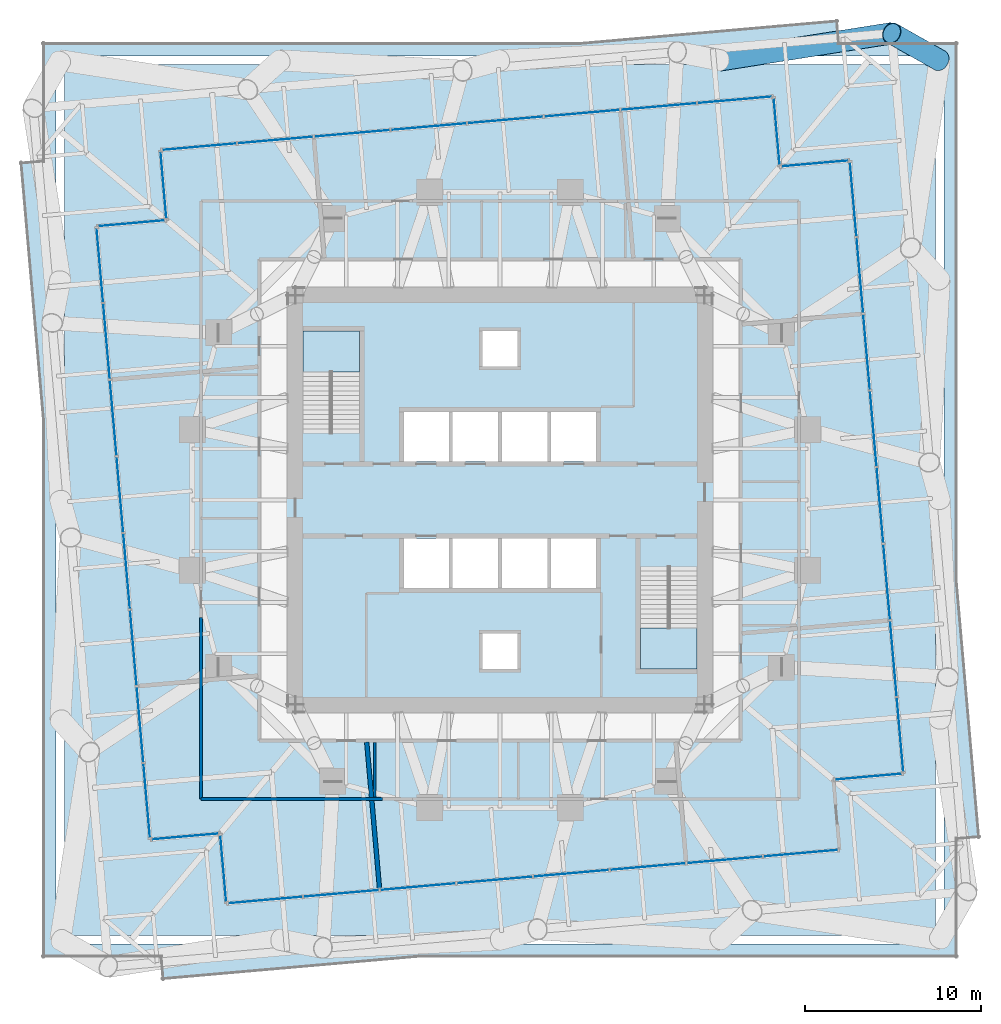
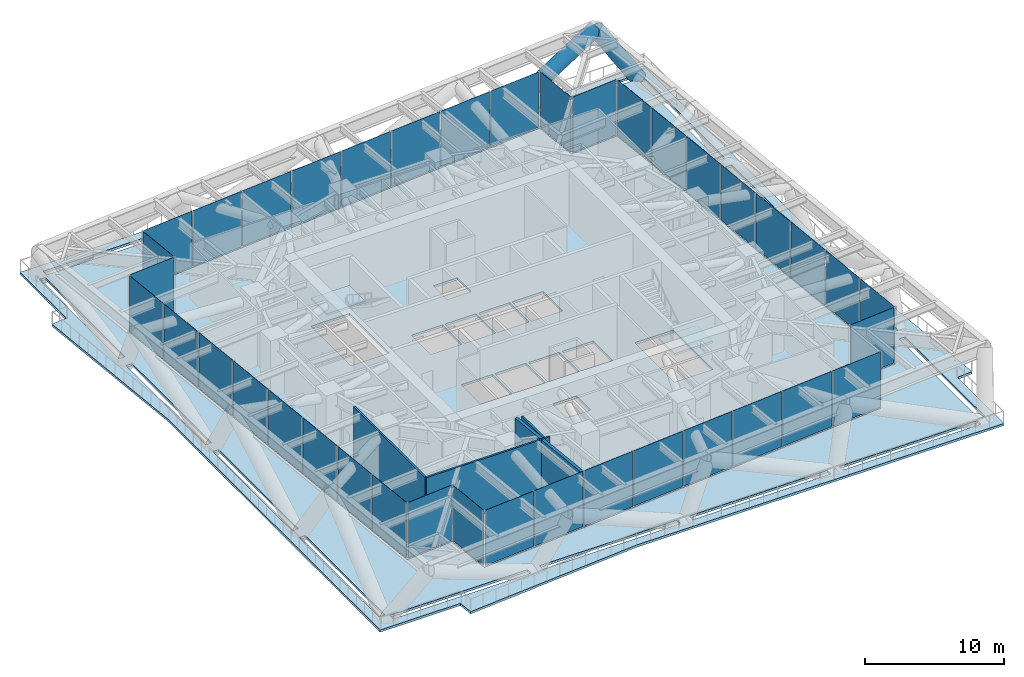
# One storey, part 8 of 14: 39 plates, 4 slabs, 4 walls, 2 members, 13 elements without a shape of their own.
"""IFC4 building model written with IfcOpenShell, lengths in metres."""

from ifc_helpers import new_model, si_unit, direction, frame, frame_2d, origin, origin_2d, place, context, subcontext, project, spatial, polyline, rectangle, hollow_circle, outline, extrude, material, layer, layer_set, material_profile, profile_set, type_object, element, aggregate, save


model = new_model("IFC4")

# Units and contexts
model_context = context("Model", 3, precision=1e-05, world=origin(), true_north=direction((0.0, 1.0)))
body_context = subcontext(model_context, "Body", "Model", "MODEL_VIEW")
ifc_project = project(units=[si_unit("LENGTHUNIT", "METRE"), si_unit("AREAUNIT", "SQUARE_METRE"), si_unit("VOLUMEUNIT", "CUBIC_METRE"), si_unit("PLANEANGLEUNIT", "RADIAN"), si_unit("MASSUNIT", "GRAM", prefix="KILO")], contexts=[model_context])

# Site, building, storey
site_placement = place(None, origin())
site = spatial("IfcSite", under=ifc_project, at=site_placement, CompositionType="ELEMENT")
building_placement = place(site_placement, origin())
building = spatial("IfcBuilding", under=site, at=building_placement, Name="Torsade Residences", CompositionType="ELEMENT")
storey_placement = place(building_placement, frame((0.0, 0.0, 42.199951171875)))
storey = spatial("IfcBuildingStorey", under=building, at=storey_placement, Name="L11", CompositionType="ELEMENT", Elevation=42.199951171875)

# Members
ifc_material_1 = material(Name="Steel grade 450", Category="steel")
ifc_material_profile_1 = material_profile(ifc_material_1, hollow_circle(Radius=0.609619140625, WallThickness=0.0400390625, at=origin_2d()), Name="1219.0x40.0CHS")
ifc_profile_set_1 = profile_set([ifc_material_profile_1], Name="Steel grade 450")
member_type_1 = type_object("IfcMemberType", Name="TRANSFER TRUSS DIAGONAL 1219.0x40.0CHS", PredefinedType="BRACE", material=ifc_profile_set_1)
member_1_placement = place(storey_placement, frame((52.5, 55.0, -0.199951171875), z_axis=(0.900830246855, 0.142155802497, 0.410239678928), x_axis=(-0.155876394362, 0.987776568704, 0.0)))
element("IfcMember", 1, at=member_1_placement, inside=storey, type_object=member_type_1, Name="Transfer truss TT1 diagonal 09", PredefinedType="BRACE", context=body_context, shape_type="SweptSolid", body=[
    extrude(hollow_circle(Radius=0.609619140625, WallThickness=0.0400390625, at=origin_2d()), origin(), (0.0, 0.0, 1.0), 10.84716796875),
])
ifc_material_2 = material(Name="Steel grade 450", Category="steel")
ifc_material_profile_2 = material_profile(ifc_material_2, hollow_circle(Radius=0.609619140625, WallThickness=0.0400390625, at=origin_2d()), Name="1219.0x40.0CHS")
ifc_profile_set_2 = profile_set([ifc_material_profile_2], Name="Steel grade 450")
member_type_2 = type_object("IfcMemberType", Name="TRANSFER TRUSS RAKING STRUT 1219.0x40.0CHS", PredefinedType="STRUT", material=ifc_profile_set_2)
member_2_placement = place(storey_placement, frame((65.0, 55.0, -0.199951171875), z_axis=(-0.501302853473, 0.283306086483, 0.817577586815), x_axis=(-0.492005918797, -0.87059185378, 0.0)))
element("IfcMember", 2, at=member_2_placement, inside=storey, type_object=member_type_2, Name="Transfer truss TT1 raking strut 09", PredefinedType="STRUT", context=body_context, shape_type="SweptSolid", body=[
    extrude(hollow_circle(Radius=0.609619140625, WallThickness=0.0400390625, at=origin_2d()), origin(), (0.0, 0.0, 1.0), 5.44287109375),
])

# Curtain wall, plates
ifc_material_3 = material(Name="Aluminium and glass", Category="aluminium")
curtain_wall_type = type_object("IfcCurtainWallType", Name="TRANSFER LEVEL CURTAIN WALL LOW ZONE", PredefinedType="NOTDEFINED", material=ifc_material_3)
curtain_wall_1_placement = place(storey_placement, origin())
curtain_wall_1 = element("IfcCurtainWall", 3, at=curtain_wall_1_placement, inside=storey, type_object=curtain_wall_type, Name="Curtain wall L11 face 1", PredefinedType="NOTDEFINED")
ifc_material_4 = material(Name="Laminated glass", Category="glass")
ifc_layer_1 = layer(ifc_material_4, 0.02392578125)
ifc_layer_set_1 = layer_set([ifc_layer_1], Name="Laminated glass")
plate_type = type_object("IfcPlateType", Name="CLEAR GLASS PANEL", PredefinedType="CURTAIN_PANEL", material=ifc_layer_set_1)
plate_1_placement = place(storey_placement, frame((26.64453125, 7.24951171875, 0.1201171875), z_axis=(0.0, 0.0, 1.0), x_axis=(0.996194698206, 0.087155741444, 0.0)))
plate_1 = element("IfcPlate", 4, at=plate_1_placement, type_object=plate_type, Name="Panel 1", PredefinedType="CURTAIN_PANEL", context=body_context, shape_type="SweptSolid", body=[
    extrude(rectangle(XDim=4.22509765625, YDim=0.02392578125, at=origin_2d()), origin(), (0.0, 0.0, 1.0), 4.8798828125),
])
plate_2_placement = place(storey_placement, frame((30.97802734375, 7.628662109375, 0.1201171875), z_axis=(0.0, 0.0, 1.0), x_axis=(0.996194698206, 0.087155741444, 0.0)))
plate_2 = element("IfcPlate", 5, at=plate_2_placement, type_object=plate_type, Name="Panel 2", PredefinedType="CURTAIN_PANEL", context=body_context, shape_type="SweptSolid", body=[
    extrude(rectangle(XDim=4.27490234375, YDim=0.02392578125, at=origin_2d()), origin(), (0.0, 0.0, 1.0), 4.8798828125),
])
plate_3_placement = place(storey_placement, frame((35.33642578125, 8.009765625, 0.1201171875), z_axis=(0.0, 0.0, 1.0), x_axis=(0.996194698206, 0.087155741444, 0.0)))
plate_3 = element("IfcPlate", 6, at=plate_3_placement, type_object=plate_type, Name="Panel 3", PredefinedType="CURTAIN_PANEL", context=body_context, shape_type="SweptSolid", body=[
    extrude(rectangle(XDim=4.27490234375, YDim=0.02392578125, at=origin_2d()), origin(), (0.0, 0.0, 1.0), 4.8798828125),
])
plate_4_placement = place(storey_placement, frame((39.694580078125, 8.39111328125, 0.1201171875), z_axis=(0.0, 0.0, 1.0), x_axis=(0.996194698206, 0.087155741444, 0.0)))
plate_4 = element("IfcPlate", 7, at=plate_4_placement, type_object=plate_type, Name="Panel 4", PredefinedType="CURTAIN_PANEL", context=body_context, shape_type="SweptSolid", body=[
    extrude(rectangle(XDim=4.27490234375, YDim=0.02392578125, at=origin_2d()), origin(), (0.0, 0.0, 1.0), 4.8798828125),
])
plate_5_placement = place(storey_placement, frame((44.052978515625, 8.7724609375, 0.1201171875), z_axis=(0.0, 0.0, 1.0), x_axis=(0.996194698206, 0.087155741444, 0.0)))
plate_5 = element("IfcPlate", 8, at=plate_5_placement, type_object=plate_type, Name="Panel 5", PredefinedType="CURTAIN_PANEL", context=body_context, shape_type="SweptSolid", body=[
    extrude(rectangle(XDim=4.27490234375, YDim=0.02392578125, at=origin_2d()), origin(), (0.0, 0.0, 1.0), 4.8798828125),
])
plate_6_placement = place(storey_placement, frame((48.411376953125, 9.15380859375, 0.1201171875), z_axis=(0.0, 0.0, 1.0), x_axis=(0.996194698206, 0.087155741444, 0.0)))
plate_6 = element("IfcPlate", 9, at=plate_6_placement, type_object=plate_type, Name="Panel 6", PredefinedType="CURTAIN_PANEL", context=body_context, shape_type="SweptSolid", body=[
    extrude(rectangle(XDim=4.27490234375, YDim=0.02392578125, at=origin_2d()), origin(), (0.0, 0.0, 1.0), 4.8798828125),
])
plate_7_placement = place(storey_placement, frame((52.769775390625, 9.53515625, 0.1201171875), z_axis=(0.0, 0.0, 1.0), x_axis=(0.996194698206, 0.087155741444, 0.0)))
plate_7 = element("IfcPlate", 10, at=plate_7_placement, type_object=plate_type, Name="Panel 7", PredefinedType="CURTAIN_PANEL", context=body_context, shape_type="SweptSolid", body=[
    extrude(rectangle(XDim=4.27490234375, YDim=0.02392578125, at=origin_2d()), origin(), (0.0, 0.0, 1.0), 4.8798828125),
])
plate_8_placement = place(storey_placement, frame((57.103271484375, 9.914306640625, 0.1201171875), z_axis=(0.0, 0.0, 1.0), x_axis=(0.996194698206, 0.087155741444, 0.0)))
plate_8 = element("IfcPlate", 11, at=plate_8_placement, type_object=plate_type, Name="Panel 8", PredefinedType="CURTAIN_PANEL", context=body_context, shape_type="SweptSolid", body=[
    extrude(rectangle(XDim=4.22509765625, YDim=0.02392578125, at=origin_2d()), origin(), (0.0, 0.0, 1.0), 4.8798828125),
])
aggregate(curtain_wall_1, [plate_1, plate_2, plate_3, plate_4, plate_5, plate_6, plate_7, plate_8])

# Curtain wall, plate
curtain_wall_2_placement = place(storey_placement, origin())
curtain_wall_2 = element("IfcCurtainWall", 12, at=curtain_wall_2_placement, inside=storey, type_object=curtain_wall_type, Name="Curtain wall L11 face 3", PredefinedType="NOTDEFINED")
plate_9_placement = place(storey_placement, frame((60.950927734375, 14.26611328125, 0.1201171875), z_axis=(0.0, 0.0, 1.0), x_axis=(0.996194697856, 0.087155745443, 0.0)))
plate_9 = element("IfcPlate", 13, at=plate_9_placement, type_object=plate_type, Name="Panel 1", PredefinedType="CURTAIN_PANEL", context=body_context, shape_type="SweptSolid", body=[
    extrude(rectangle(XDim=3.800048828125, YDim=0.02392578125, at=origin_2d()), origin(), (0.0, 0.0, 1.0), 4.8798828125),
])
aggregate(curtain_wall_2, [plate_9])

# Curtain wall, plates
curtain_wall_3_placement = place(storey_placement, origin())
curtain_wall_3 = element("IfcCurtainWall", 14, at=curtain_wall_3_placement, inside=storey, type_object=curtain_wall_type, Name="Curtain wall L11 face 4", PredefinedType="NOTDEFINED")
plate_10_placement = place(storey_placement, frame((62.75048828125, 16.64453125, 0.1201171875), z_axis=(0.0, 0.0, 1.0), x_axis=(-0.087155741444, 0.996194698206, 0.0)))
plate_10 = element("IfcPlate", 15, at=plate_10_placement, type_object=plate_type, Name="Panel 1", PredefinedType="CURTAIN_PANEL", context=body_context, shape_type="SweptSolid", body=[
    extrude(rectangle(XDim=4.22509765625, YDim=0.02392578125, at=origin_2d()), origin(), (0.0, 0.0, 1.0), 4.8798828125),
])
plate_11_placement = place(storey_placement, frame((62.371337890625, 20.97802734375, 0.1201171875), z_axis=(0.0, 0.0, 1.0), x_axis=(-0.087155741444, 0.996194698206, 0.0)))
plate_11 = element("IfcPlate", 16, at=plate_11_placement, type_object=plate_type, Name="Panel 2", PredefinedType="CURTAIN_PANEL", context=body_context, shape_type="SweptSolid", body=[
    extrude(rectangle(XDim=4.27490234375, YDim=0.02392578125, at=origin_2d()), origin(), (0.0, 0.0, 1.0), 4.8798828125),
])
plate_12_placement = place(storey_placement, frame((61.990234375, 25.33642578125, 0.1201171875), z_axis=(0.0, 0.0, 1.0), x_axis=(-0.087155741444, 0.996194698206, 0.0)))
plate_12 = element("IfcPlate", 17, at=plate_12_placement, type_object=plate_type, Name="Panel 3", PredefinedType="CURTAIN_PANEL", context=body_context, shape_type="SweptSolid", body=[
    extrude(rectangle(XDim=4.27490234375, YDim=0.02392578125, at=origin_2d()), origin(), (0.0, 0.0, 1.0), 4.8798828125),
])
plate_13_placement = place(storey_placement, frame((61.60888671875, 29.694580078125, 0.1201171875), z_axis=(0.0, 0.0, 1.0), x_axis=(-0.087155741444, 0.996194698206, 0.0)))
plate_13 = element("IfcPlate", 18, at=plate_13_placement, type_object=plate_type, Name="Panel 4", PredefinedType="CURTAIN_PANEL", context=body_context, shape_type="SweptSolid", body=[
    extrude(rectangle(XDim=4.27490234375, YDim=0.02392578125, at=origin_2d()), origin(), (0.0, 0.0, 1.0), 4.8798828125),
])
plate_14_placement = place(storey_placement, frame((61.2275390625, 34.052978515625, 0.1201171875), z_axis=(0.0, 0.0, 1.0), x_axis=(-0.087155741444, 0.996194698206, 0.0)))
plate_14 = element("IfcPlate", 19, at=plate_14_placement, type_object=plate_type, Name="Panel 5", PredefinedType="CURTAIN_PANEL", context=body_context, shape_type="SweptSolid", body=[
    extrude(rectangle(XDim=4.27490234375, YDim=0.02392578125, at=origin_2d()), origin(), (0.0, 0.0, 1.0), 4.8798828125),
])
plate_15_placement = place(storey_placement, frame((60.84619140625, 38.411376953125, 0.1201171875), z_axis=(0.0, 0.0, 1.0), x_axis=(-0.087155741444, 0.996194698206, 0.0)))
plate_15 = element("IfcPlate", 20, at=plate_15_placement, type_object=plate_type, Name="Panel 6", PredefinedType="CURTAIN_PANEL", context=body_context, shape_type="SweptSolid", body=[
    extrude(rectangle(XDim=4.27490234375, YDim=0.02392578125, at=origin_2d()), origin(), (0.0, 0.0, 1.0), 4.8798828125),
])
plate_16_placement = place(storey_placement, frame((60.46484375, 42.769775390625, 0.1201171875), z_axis=(0.0, 0.0, 1.0), x_axis=(-0.087155741444, 0.996194698206, 0.0)))
plate_16 = element("IfcPlate", 21, at=plate_16_placement, type_object=plate_type, Name="Panel 7", PredefinedType="CURTAIN_PANEL", context=body_context, shape_type="SweptSolid", body=[
    extrude(rectangle(XDim=4.27490234375, YDim=0.02392578125, at=origin_2d()), origin(), (0.0, 0.0, 1.0), 4.8798828125),
])
plate_17_placement = place(storey_placement, frame((60.085693359375, 47.103271484375, 0.1201171875), z_axis=(0.0, 0.0, 1.0), x_axis=(-0.087155741444, 0.996194698206, 0.0)))
plate_17 = element("IfcPlate", 22, at=plate_17_placement, type_object=plate_type, Name="Panel 8", PredefinedType="CURTAIN_PANEL", context=body_context, shape_type="SweptSolid", body=[
    extrude(rectangle(XDim=4.22509765625, YDim=0.02392578125, at=origin_2d()), origin(), (0.0, 0.0, 1.0), 4.8798828125),
])
aggregate(curtain_wall_3, [plate_10, plate_11, plate_12, plate_13, plate_14, plate_15, plate_16, plate_17])

# Curtain wall, plate
curtain_wall_4_placement = place(storey_placement, origin())
curtain_wall_4 = element("IfcCurtainWall", 23, at=curtain_wall_4_placement, inside=storey, type_object=curtain_wall_type, Name="Curtain wall L11 face 5", PredefinedType="NOTDEFINED")
plate_18_placement = place(storey_placement, frame((57.900634765625, 49.133056640625, 0.1201171875), z_axis=(0.0, 0.0, 1.0), x_axis=(-0.996194697856, -0.087155745443, 0.0)))
plate_18 = element("IfcPlate", 24, at=plate_18_placement, type_object=plate_type, Name="Panel 1", PredefinedType="CURTAIN_PANEL", context=body_context, shape_type="SweptSolid", body=[
    extrude(rectangle(XDim=3.800048828125, YDim=0.02392578125, at=origin_2d()), origin(), (0.0, 0.0, 1.0), 4.8798828125),
])
aggregate(curtain_wall_4, [plate_18])

curtain_wall_5_placement = place(storey_placement, origin())
curtain_wall_5 = element("IfcCurtainWall", 25, at=curtain_wall_5_placement, inside=storey, type_object=curtain_wall_type, Name="Curtain wall L11 face 6", PredefinedType="NOTDEFINED")
plate_19_placement = place(storey_placement, frame((55.73388671875, 50.950927734375, 0.1201171875), z_axis=(0.0, 0.0, 1.0), x_axis=(-0.087155745443, 0.996194697856, 0.0)))
plate_19 = element("IfcPlate", 26, at=plate_19_placement, type_object=plate_type, Name="Panel 1", PredefinedType="CURTAIN_PANEL", context=body_context, shape_type="SweptSolid", body=[
    extrude(rectangle(XDim=3.800048828125, YDim=0.02392578125, at=origin_2d()), origin(), (0.0, 0.0, 1.0), 4.8798828125),
])
aggregate(curtain_wall_5, [plate_19])

# Curtain wall, plates
curtain_wall_6_placement = place(storey_placement, origin())
curtain_wall_6 = element("IfcCurtainWall", 27, at=curtain_wall_6_placement, inside=storey, type_object=curtain_wall_type, Name="Curtain wall L11 face 7", PredefinedType="NOTDEFINED")
plate_20_placement = place(storey_placement, frame((53.35546875, 52.75048828125, 0.1201171875), z_axis=(0.0, 0.0, 1.0), x_axis=(-0.996194698206, -0.087155741444, 0.0)))
plate_20 = element("IfcPlate", 28, at=plate_20_placement, type_object=plate_type, Name="Panel 1", PredefinedType="CURTAIN_PANEL", context=body_context, shape_type="SweptSolid", body=[
    extrude(rectangle(XDim=4.22509765625, YDim=0.02392578125, at=origin_2d()), origin(), (0.0, 0.0, 1.0), 4.8798828125),
])
plate_21_placement = place(storey_placement, frame((49.02197265625, 52.371337890625, 0.1201171875), z_axis=(0.0, 0.0, 1.0), x_axis=(-0.996194698206, -0.087155741444, 0.0)))
plate_21 = element("IfcPlate", 29, at=plate_21_placement, type_object=plate_type, Name="Panel 2", PredefinedType="CURTAIN_PANEL", context=body_context, shape_type="SweptSolid", body=[
    extrude(rectangle(XDim=4.27490234375, YDim=0.02392578125, at=origin_2d()), origin(), (0.0, 0.0, 1.0), 4.8798828125),
])
plate_22_placement = place(storey_placement, frame((44.66357421875, 51.990234375, 0.1201171875), z_axis=(0.0, 0.0, 1.0), x_axis=(-0.996194698206, -0.087155741444, 0.0)))
plate_22 = element("IfcPlate", 30, at=plate_22_placement, type_object=plate_type, Name="Panel 3", PredefinedType="CURTAIN_PANEL", context=body_context, shape_type="SweptSolid", body=[
    extrude(rectangle(XDim=4.27490234375, YDim=0.02392578125, at=origin_2d()), origin(), (0.0, 0.0, 1.0), 4.8798828125),
])
plate_23_placement = place(storey_placement, frame((40.305419921875, 51.60888671875, 0.1201171875), z_axis=(0.0, 0.0, 1.0), x_axis=(-0.996194698206, -0.087155741444, 0.0)))
plate_23 = element("IfcPlate", 31, at=plate_23_placement, type_object=plate_type, Name="Panel 4", PredefinedType="CURTAIN_PANEL", context=body_context, shape_type="SweptSolid", body=[
    extrude(rectangle(XDim=4.27490234375, YDim=0.02392578125, at=origin_2d()), origin(), (0.0, 0.0, 1.0), 4.8798828125),
])
plate_24_placement = place(storey_placement, frame((35.947021484375, 51.2275390625, 0.1201171875), z_axis=(0.0, 0.0, 1.0), x_axis=(-0.996194698206, -0.087155741444, 0.0)))
plate_24 = element("IfcPlate", 32, at=plate_24_placement, type_object=plate_type, Name="Panel 5", PredefinedType="CURTAIN_PANEL", context=body_context, shape_type="SweptSolid", body=[
    extrude(rectangle(XDim=4.27490234375, YDim=0.02392578125, at=origin_2d()), origin(), (0.0, 0.0, 1.0), 4.8798828125),
])
plate_25_placement = place(storey_placement, frame((31.588623046875, 50.84619140625, 0.1201171875), z_axis=(0.0, 0.0, 1.0), x_axis=(-0.996194698206, -0.087155741444, 0.0)))
plate_25 = element("IfcPlate", 33, at=plate_25_placement, type_object=plate_type, Name="Panel 6", PredefinedType="CURTAIN_PANEL", context=body_context, shape_type="SweptSolid", body=[
    extrude(rectangle(XDim=4.27490234375, YDim=0.02392578125, at=origin_2d()), origin(), (0.0, 0.0, 1.0), 4.8798828125),
])
plate_26_placement = place(storey_placement, frame((27.230224609375, 50.46484375, 0.1201171875), z_axis=(0.0, 0.0, 1.0), x_axis=(-0.996194698206, -0.087155741444, 0.0)))
plate_26 = element("IfcPlate", 34, at=plate_26_placement, type_object=plate_type, Name="Panel 7", PredefinedType="CURTAIN_PANEL", context=body_context, shape_type="SweptSolid", body=[
    extrude(rectangle(XDim=4.27490234375, YDim=0.02392578125, at=origin_2d()), origin(), (0.0, 0.0, 1.0), 4.8798828125),
])
plate_27_placement = place(storey_placement, frame((22.896728515625, 50.085693359375, 0.1201171875), z_axis=(0.0, 0.0, 1.0), x_axis=(-0.996194698206, -0.087155741444, 0.0)))
plate_27 = element("IfcPlate", 35, at=plate_27_placement, type_object=plate_type, Name="Panel 8", PredefinedType="CURTAIN_PANEL", context=body_context, shape_type="SweptSolid", body=[
    extrude(rectangle(XDim=4.22509765625, YDim=0.02392578125, at=origin_2d()), origin(), (0.0, 0.0, 1.0), 4.8798828125),
])
aggregate(curtain_wall_6, [plate_20, plate_21, plate_22, plate_23, plate_24, plate_25, plate_26, plate_27])

# Curtain wall, plate
curtain_wall_7_placement = place(storey_placement, origin())
curtain_wall_7 = element("IfcCurtainWall", 36, at=curtain_wall_7_placement, inside=storey, type_object=curtain_wall_type, Name="Curtain wall L11 face 8", PredefinedType="NOTDEFINED")
plate_28_placement = place(storey_placement, frame((20.866943359375, 47.900634765625, 0.1201171875), z_axis=(0.0, 0.0, 1.0), x_axis=(0.087155745443, -0.996194697856, 0.0)))
plate_28 = element("IfcPlate", 37, at=plate_28_placement, type_object=plate_type, Name="Panel 1", PredefinedType="CURTAIN_PANEL", context=body_context, shape_type="SweptSolid", body=[
    extrude(rectangle(XDim=3.800048828125, YDim=0.02392578125, at=origin_2d()), origin(), (0.0, 0.0, 1.0), 4.8798828125),
])
aggregate(curtain_wall_7, [plate_28])

curtain_wall_8_placement = place(storey_placement, origin())
curtain_wall_8 = element("IfcCurtainWall", 38, at=curtain_wall_8_placement, inside=storey, type_object=curtain_wall_type, Name="Curtain wall L11 face 9", PredefinedType="NOTDEFINED")
plate_29_placement = place(storey_placement, frame((19.049072265625, 45.73388671875, 0.1201171875), z_axis=(0.0, 0.0, 1.0), x_axis=(-0.996194697856, -0.087155745443, 0.0)))
plate_29 = element("IfcPlate", 39, at=plate_29_placement, type_object=plate_type, Name="Panel 1", PredefinedType="CURTAIN_PANEL", context=body_context, shape_type="SweptSolid", body=[
    extrude(rectangle(XDim=3.800048828125, YDim=0.02392578125, at=origin_2d()), origin(), (0.0, 0.0, 1.0), 4.8798828125),
])
aggregate(curtain_wall_8, [plate_29])

# Curtain wall, plates
curtain_wall_9_placement = place(storey_placement, origin())
curtain_wall_9 = element("IfcCurtainWall", 40, at=curtain_wall_9_placement, inside=storey, type_object=curtain_wall_type, Name="Curtain wall L11 face 10", PredefinedType="NOTDEFINED")
plate_30_placement = place(storey_placement, frame((17.24951171875, 43.35546875, 0.1201171875), z_axis=(0.0, 0.0, 1.0), x_axis=(0.087155741444, -0.996194698206, 0.0)))
plate_30 = element("IfcPlate", 41, at=plate_30_placement, type_object=plate_type, Name="Panel 1", PredefinedType="CURTAIN_PANEL", context=body_context, shape_type="SweptSolid", body=[
    extrude(rectangle(XDim=4.22509765625, YDim=0.02392578125, at=origin_2d()), origin(), (0.0, 0.0, 1.0), 4.8798828125),
])
plate_31_placement = place(storey_placement, frame((17.628662109375, 39.02197265625, 0.1201171875), z_axis=(0.0, 0.0, 1.0), x_axis=(0.087155741444, -0.996194698206, 0.0)))
plate_31 = element("IfcPlate", 42, at=plate_31_placement, type_object=plate_type, Name="Panel 2", PredefinedType="CURTAIN_PANEL", context=body_context, shape_type="SweptSolid", body=[
    extrude(rectangle(XDim=4.27490234375, YDim=0.02392578125, at=origin_2d()), origin(), (0.0, 0.0, 1.0), 4.8798828125),
])
plate_32_placement = place(storey_placement, frame((18.009765625, 34.66357421875, 0.1201171875), z_axis=(0.0, 0.0, 1.0), x_axis=(0.087155741444, -0.996194698206, 0.0)))
plate_32 = element("IfcPlate", 43, at=plate_32_placement, type_object=plate_type, Name="Panel 3", PredefinedType="CURTAIN_PANEL", context=body_context, shape_type="SweptSolid", body=[
    extrude(rectangle(XDim=4.27490234375, YDim=0.02392578125, at=origin_2d()), origin(), (0.0, 0.0, 1.0), 4.8798828125),
])
plate_33_placement = place(storey_placement, frame((18.39111328125, 30.305419921875, 0.1201171875), z_axis=(0.0, 0.0, 1.0), x_axis=(0.087155741444, -0.996194698206, 0.0)))
plate_33 = element("IfcPlate", 44, at=plate_33_placement, type_object=plate_type, Name="Panel 4", PredefinedType="CURTAIN_PANEL", context=body_context, shape_type="SweptSolid", body=[
    extrude(rectangle(XDim=4.27490234375, YDim=0.02392578125, at=origin_2d()), origin(), (0.0, 0.0, 1.0), 4.8798828125),
])
plate_34_placement = place(storey_placement, frame((18.7724609375, 25.947021484375, 0.1201171875), z_axis=(0.0, 0.0, 1.0), x_axis=(0.087155741444, -0.996194698206, 0.0)))
plate_34 = element("IfcPlate", 45, at=plate_34_placement, type_object=plate_type, Name="Panel 5", PredefinedType="CURTAIN_PANEL", context=body_context, shape_type="SweptSolid", body=[
    extrude(rectangle(XDim=4.27490234375, YDim=0.02392578125, at=origin_2d()), origin(), (0.0, 0.0, 1.0), 4.8798828125),
])
plate_35_placement = place(storey_placement, frame((19.15380859375, 21.588623046875, 0.1201171875), z_axis=(0.0, 0.0, 1.0), x_axis=(0.087155741444, -0.996194698206, 0.0)))
plate_35 = element("IfcPlate", 46, at=plate_35_placement, type_object=plate_type, Name="Panel 6", PredefinedType="CURTAIN_PANEL", context=body_context, shape_type="SweptSolid", body=[
    extrude(rectangle(XDim=4.27490234375, YDim=0.02392578125, at=origin_2d()), origin(), (0.0, 0.0, 1.0), 4.8798828125),
])
plate_36_placement = place(storey_placement, frame((19.53515625, 17.230224609375, 0.1201171875), z_axis=(0.0, 0.0, 1.0), x_axis=(0.087155741444, -0.996194698206, 0.0)))
plate_36 = element("IfcPlate", 47, at=plate_36_placement, type_object=plate_type, Name="Panel 7", PredefinedType="CURTAIN_PANEL", context=body_context, shape_type="SweptSolid", body=[
    extrude(rectangle(XDim=4.27490234375, YDim=0.02392578125, at=origin_2d()), origin(), (0.0, 0.0, 1.0), 4.8798828125),
])
plate_37_placement = place(storey_placement, frame((19.914306640625, 12.896728515625, 0.1201171875), z_axis=(0.0, 0.0, 1.0), x_axis=(0.087155741444, -0.996194698206, 0.0)))
plate_37 = element("IfcPlate", 48, at=plate_37_placement, type_object=plate_type, Name="Panel 8", PredefinedType="CURTAIN_PANEL", context=body_context, shape_type="SweptSolid", body=[
    extrude(rectangle(XDim=4.22509765625, YDim=0.02392578125, at=origin_2d()), origin(), (0.0, 0.0, 1.0), 4.8798828125),
])
aggregate(curtain_wall_9, [plate_30, plate_31, plate_32, plate_33, plate_34, plate_35, plate_36, plate_37])

# Curtain wall, plate
curtain_wall_10_placement = place(storey_placement, origin())
curtain_wall_10 = element("IfcCurtainWall", 49, at=curtain_wall_10_placement, inside=storey, type_object=curtain_wall_type, Name="Curtain wall L11 face 11", PredefinedType="NOTDEFINED")
plate_38_placement = place(storey_placement, frame((22.099365234375, 10.866943359375, 0.1201171875), z_axis=(0.0, 0.0, 1.0), x_axis=(0.996194697856, 0.087155745443, 0.0)))
plate_38 = element("IfcPlate", 50, at=plate_38_placement, type_object=plate_type, Name="Panel 1", PredefinedType="CURTAIN_PANEL", context=body_context, shape_type="SweptSolid", body=[
    extrude(rectangle(XDim=3.800048828125, YDim=0.02392578125, at=origin_2d()), origin(), (0.0, 0.0, 1.0), 4.8798828125),
])
aggregate(curtain_wall_10, [plate_38])

curtain_wall_11_placement = place(storey_placement, origin())
curtain_wall_11 = element("IfcCurtainWall", 51, at=curtain_wall_11_placement, inside=storey, type_object=curtain_wall_type, Name="Curtain wall L11 face 12", PredefinedType="NOTDEFINED")
plate_39_placement = place(storey_placement, frame((24.26611328125, 9.049072265625, 0.1201171875), z_axis=(0.0, 0.0, 1.0), x_axis=(0.087155745443, -0.996194697856, 0.0)))
plate_39 = element("IfcPlate", 52, at=plate_39_placement, type_object=plate_type, Name="Panel 1", PredefinedType="CURTAIN_PANEL", context=body_context, shape_type="SweptSolid", body=[
    extrude(rectangle(XDim=3.800048828125, YDim=0.02392578125, at=origin_2d()), origin(), (0.0, 0.0, 1.0), 4.8798828125),
])
aggregate(curtain_wall_11, [plate_39])

# Stair, slab
ifc_material_5 = material(Name="Precast concrete 40 MPa", Category="concrete")
stair_type = type_object("IfcStairType", Name="HALF-TURN FIRE STAIR 1500x5000", PredefinedType="HALF_TURN_STAIR", material=ifc_material_5)
stair_1_placement = place(storey_placement, origin())
stair_1 = element("IfcStair", 53, at=stair_1_placement, inside=storey, type_object=stair_type, Name="Stair ST1 L11", PredefinedType="HALF_TURN_STAIR")
ifc_material_6 = material(Name="Precast concrete 40 MPa", Category="concrete")
ifc_layer_2 = layer(ifc_material_6, 0.179931640625)
ifc_layer_set_2 = layer_set([ifc_layer_2], Name="Precast concrete 40 MPa")
slab_type_1 = type_object("IfcSlabType", Name="PRECAST STAIR LANDING 180", PredefinedType="LANDING", material=ifc_layer_set_2)
slab_1_placement = place(storey_placement, frame((0.0, 0.0, 2.320068359375)))
slab_1 = element("IfcSlab", 54, at=slab_1_placement, type_object=slab_type_1, Name="ST1 landing 1", PredefinedType="LANDING", context=body_context, shape_type="SweptSolid", body=[
    extrude(outline(polyline([(28.800048828125, 37.2900390625), (32.0, 37.2900390625), (32.0, 39.60009765625), (28.800048828125, 39.60009765625), (28.800048828125, 37.2900390625)])), origin(), (0.0, 0.0, 1.0), 0.179931640625),
])
aggregate(stair_1, [slab_1])

stair_2_placement = place(storey_placement, origin())
stair_2 = element("IfcStair", 55, at=stair_2_placement, inside=storey, type_object=stair_type, Name="Stair ST2 L11", PredefinedType="HALF_TURN_STAIR")
slab_2_placement = place(storey_placement, frame((0.0, 0.0, 2.320068359375)))
slab_2 = element("IfcSlab", 56, at=slab_2_placement, type_object=slab_type_1, Name="ST2 landing 1", PredefinedType="LANDING", context=body_context, shape_type="SweptSolid", body=[
    extrude(outline(polyline([(48.0, 20.39990234375), (51.199951171875, 20.39990234375), (51.199951171875, 22.7099609375), (48.0, 22.7099609375), (48.0, 20.39990234375)])), origin(), (0.0, 0.0, 1.0), 0.179931640625),
])
aggregate(stair_2, [slab_2])

# Slabs
ifc_material_7 = material(Name="Concrete 40 MPa", Category="concrete")
ifc_layer_3 = layer(ifc_material_7, 0.199951171875)
ifc_layer_set_3 = layer_set([ifc_layer_3], Name="Concrete 40 MPa")
slab_type_2 = type_object("IfcSlabType", Name="TRANSFER FLOOR SLAB 200", PredefinedType="FLOOR", material=ifc_layer_set_3)
slab_3_placement = place(storey_placement, frame((0.0, 0.0, -0.199951171875)))
element("IfcSlab", 57, at=slab_3_placement, inside=storey, type_object=slab_type_2, Name="Floor slab L11", PredefinedType="FLOOR", context=body_context, shape_type="SweptSolid", body=[
    extrude(outline(polyline([(24.4404296875, 7.056640625), (59.307373046875, 10.10693359375), (58.958740234375, 14.091796875), (62.943359375, 14.4404296875), (59.89306640625, 49.307373046875), (55.908203125, 48.958740234375), (55.5595703125, 52.943359375), (20.692626953125, 49.89306640625), (21.041259765625, 45.908203125), (17.056640625, 45.5595703125), (20.10693359375, 10.692626953125), (24.091796875, 11.041259765625), (24.4404296875, 7.056640625)]), holes=[polyline([(51.199951171875, 20.39990234375), (51.199951171875, 26.1201171875), (48.0, 26.1201171875), (48.0, 20.39990234375), (51.199951171875, 20.39990234375)]), polyline([(45.5, 27.800048828125), (42.89990234375, 27.800048828125), (42.89990234375, 25.0), (45.5, 25.0), (45.5, 27.800048828125)]), polyline([(45.5, 32.199951171875), (45.5, 35.0), (42.89990234375, 35.0), (42.89990234375, 32.199951171875), (45.5, 32.199951171875)]), polyline([(42.699951171875, 25.0), (42.699951171875, 27.800048828125), (40.10009765625, 27.800048828125), (40.10009765625, 25.0), (42.699951171875, 25.0)]), polyline([(42.699951171875, 32.199951171875), (42.699951171875, 35.0), (40.10009765625, 35.0), (40.10009765625, 32.199951171875), (42.699951171875, 32.199951171875)]), polyline([(41.0, 22.39990234375), (39.0, 22.39990234375), (39.0, 20.39990234375), (41.0, 20.39990234375), (41.0, 22.39990234375)]), polyline([(41.0, 37.60009765625), (41.0, 39.60009765625), (39.0, 39.60009765625), (39.0, 37.60009765625), (41.0, 37.60009765625)]), polyline([(39.89990234375, 25.0), (39.89990234375, 27.800048828125), (37.300048828125, 27.800048828125), (37.300048828125, 25.0), (39.89990234375, 25.0)]), polyline([(39.89990234375, 35.0), (37.300048828125, 35.0), (37.300048828125, 32.199951171875), (39.89990234375, 32.199951171875), (39.89990234375, 35.0)]), polyline([(37.10009765625, 27.800048828125), (34.5, 27.800048828125), (34.5, 25.0), (37.10009765625, 25.0), (37.10009765625, 27.800048828125)]), polyline([(37.10009765625, 32.199951171875), (37.10009765625, 35.0), (34.5, 35.0), (34.5, 32.199951171875), (37.10009765625, 32.199951171875)]), polyline([(32.0, 33.8798828125), (32.0, 39.60009765625), (28.800048828125, 39.60009765625), (28.800048828125, 33.8798828125), (32.0, 33.8798828125)])]), origin(), (0.0, 0.0, 1.0), 0.199951171875),
])
ifc_material_8 = material(Name="Concrete 40 MPa", Category="concrete")
ifc_layer_4 = layer(ifc_material_8, 0.199951171875)
ifc_layer_set_4 = layer_set([ifc_layer_4], Name="Concrete 40 MPa")
slab_type_3 = type_object("IfcSlabType", Name="TRANSFER LEDGE SLAB 200", PredefinedType="ROOF", material=ifc_layer_set_4)
slab_4_placement = place(storey_placement, frame((0.0, 0.0, -0.199951171875)))
element("IfcSlab", 58, at=slab_4_placement, inside=storey, type_object=slab_type_3, Name="Transfer ledge slab L11 north-west", PredefinedType="ROOF", context=body_context, shape_type="SweptSolid", body=[
    extrude(outline(polyline([(14.0, 34.6015625), (14.0, 4.0), (20.692626953125, 4.0), (20.80419921875, 2.72314453125), (35.3984375, 4.0), (66.0, 4.0), (66.0, 10.692626953125), (67.27685546875, 10.80419921875), (66.0, 25.3984375), (66.0, 56.0), (59.307373046875, 56.0), (59.19580078125, 57.27685546875), (44.6015625, 56.0), (14.0, 56.0), (14.0, 49.307373046875), (12.72314453125, 49.19580078125), (14.0, 34.6015625)]), holes=[polyline([(64.75, 43.0), (65.25, 43.0), (65.25, 54.5), (64.75, 54.5), (64.75, 43.0)]), polyline([(64.75, 30.5), (65.25, 30.5), (65.25, 42.0), (64.75, 42.0), (64.75, 30.5)]), polyline([(64.75, 18.0), (65.25, 18.0), (65.25, 29.5), (64.75, 29.5), (64.75, 18.0)]), polyline([(64.75, 5.5), (65.25, 5.5), (65.25, 17.0), (64.75, 17.0), (64.75, 5.5)]), polyline([(64.5, 54.75), (64.5, 55.25), (53.0, 55.25), (53.0, 54.75), (64.5, 54.75)]), polyline([(53.0, 5.25), (53.0, 4.75), (64.5, 4.75), (64.5, 5.25), (53.0, 5.25)]), polyline([(58.958740234375, 14.091796875), (62.943359375, 14.4404296875), (59.89306640625, 49.307373046875), (55.908203125, 48.958740234375), (55.5595703125, 52.943359375), (20.692626953125, 49.89306640625), (21.041259765625, 45.908203125), (17.056640625, 45.5595703125), (20.10693359375, 10.692626953125), (24.091796875, 11.041259765625), (24.4404296875, 7.056640625), (59.307373046875, 10.10693359375), (58.958740234375, 14.091796875)]), polyline([(40.5, 5.25), (40.5, 4.75), (52.0, 4.75), (52.0, 5.25), (40.5, 5.25)]), polyline([(52.0, 54.75), (52.0, 55.25), (40.5, 55.25), (40.5, 54.75), (52.0, 54.75)]), polyline([(39.5, 54.75), (39.5, 55.25), (28.0, 55.25), (28.0, 54.75), (39.5, 54.75)]), polyline([(28.0, 5.25), (28.0, 4.75), (39.5, 4.75), (39.5, 5.25), (28.0, 5.25)]), polyline([(27.0, 54.75), (27.0, 55.25), (15.5, 55.25), (15.5, 54.75), (27.0, 54.75)]), polyline([(15.5, 5.25), (15.5, 4.75), (27.0, 4.75), (27.0, 5.25), (15.5, 5.25)]), polyline([(15.25, 54.5), (14.75, 54.5), (14.75, 43.0), (15.25, 43.0), (15.25, 54.5)]), polyline([(15.25, 42.0), (14.75, 42.0), (14.75, 30.5), (15.25, 30.5), (15.25, 42.0)]), polyline([(15.25, 29.5), (14.75, 29.5), (14.75, 18.0), (15.25, 18.0), (15.25, 29.5)]), polyline([(15.25, 17.0), (14.75, 17.0), (14.75, 5.5), (15.25, 5.5), (15.25, 17.0)])]), origin(), (0.0, 0.0, 1.0), 0.199951171875),
])

# Walls
ifc_material_9 = material(Name="Masonry-lined stud party wall", Category="masonry")
ifc_layer_5 = layer(ifc_material_9, 0.25)
ifc_layer_set_5 = layer_set([ifc_layer_5], Name="Masonry-lined stud party wall")
wall_type_1 = type_object("IfcWallType", Name="PARTY WALL 250", PredefinedType="PARTITIONING", material=ifc_layer_set_5)
wall_1_placement = place(storey_placement, frame((33.1572265625, 7.819091796875, 0.0), z_axis=(0.0, 0.0, 1.0), x_axis=(-0.087163721544, 0.996194000005, 0.0)))
element("IfcWall", 59, at=wall_1_placement, inside=storey, type_object=wall_type_1, Name="Party wall L11", PredefinedType="PARTITIONING", context=body_context, shape_type="SweptSolid", body=[
    extrude(rectangle(XDim=8.442138671875, YDim=0.25, at=frame_2d((4.22119140625, 0.0))), origin(), (0.0, 0.0, 1.0), 4.85009765625),
])
ifc_material_10 = material(Name="Reinforced blockwork", Category="masonry")
ifc_layer_6 = layer(ifc_material_10, 0.14990234375)
ifc_layer_set_6 = layer_set([ifc_layer_6], Name="Reinforced blockwork")
wall_type_2 = type_object("IfcWallType", Name="SERVICE ROOM WALL 150", PredefinedType="SOLIDWALL", material=ifc_layer_set_6)
wall_2_placement = place(storey_placement, frame((32.885498046875, 16.199951171875, 0.0), z_axis=(0.0, 0.0, 1.0), x_axis=(0.0, -1.0, 0.0)))
element("IfcWall", 60, at=wall_2_placement, inside=storey, type_object=wall_type_2, Name="Service room wall L11", PredefinedType="SOLIDWALL", context=body_context, shape_type="SweptSolid", body=[
    extrude(rectangle(XDim=3.095947265625, YDim=0.14990234375, at=frame_2d((1.5478515625, 0.0))), origin(), (0.0, 0.0, 1.0), 4.85009765625),
])
for number, where, z_axis, x_axis, name in (
    (61, (33.321533203125, 13.0, 0.0), (0.0, 0.0, 1.0), (-1.0, 0.0, 0.0), "Service room wall L11"),
    (62, (23.0, 13.0, 0.0), (0.0, 0.0, 1.0), (0.0, 1.0, 0.0), "Service room wall L11"),
):
    element("IfcWall", number, at=place(storey_placement, frame(where, z_axis=z_axis, x_axis=x_axis)), inside=storey, type_object=wall_type_2, Name=name, PredefinedType="SOLIDWALL", context=body_context, shape_type="SweptSolid", body=[
        extrude(rectangle(XDim=10.321533203125, YDim=0.14990234375, at=frame_2d((5.16064453125, 0.0))), origin(), (0.0, 0.0, 1.0), 4.85009765625),
    ])

save(model, "model.ifc")
